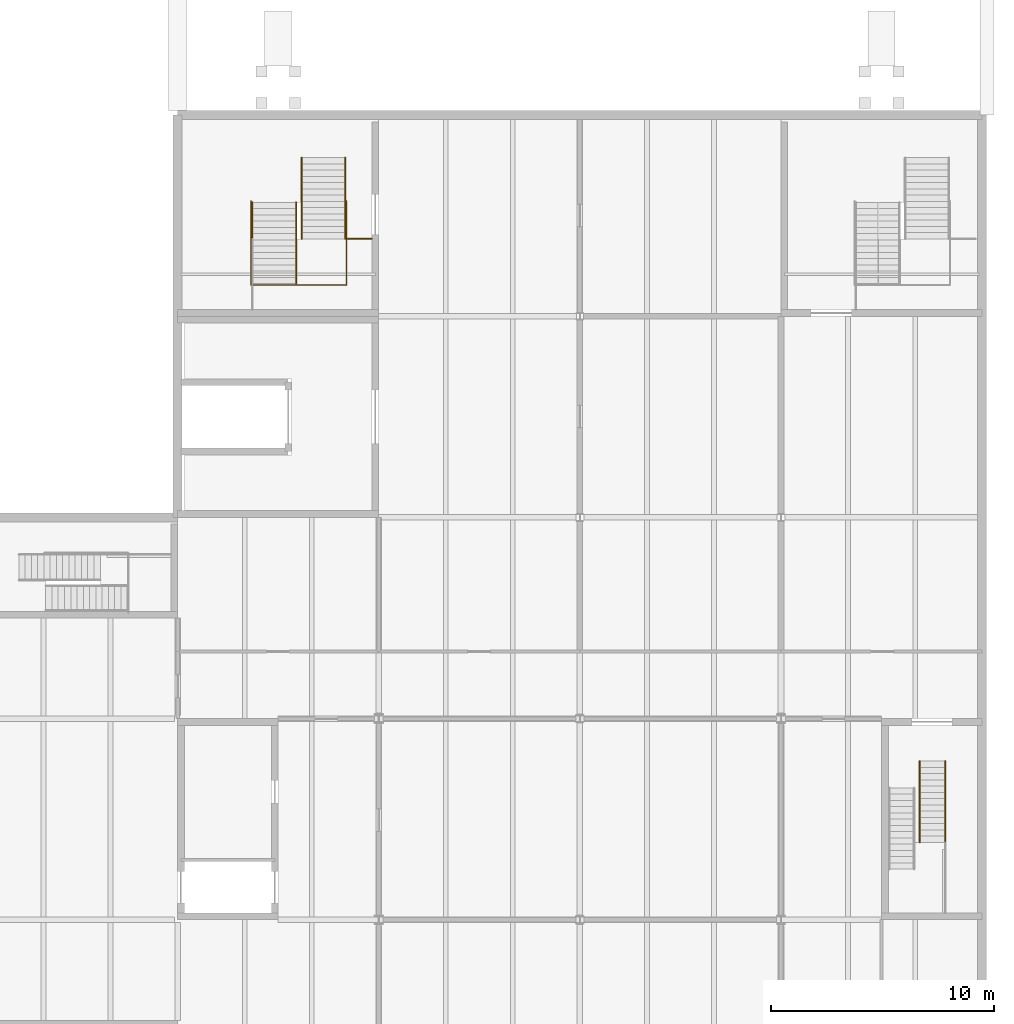
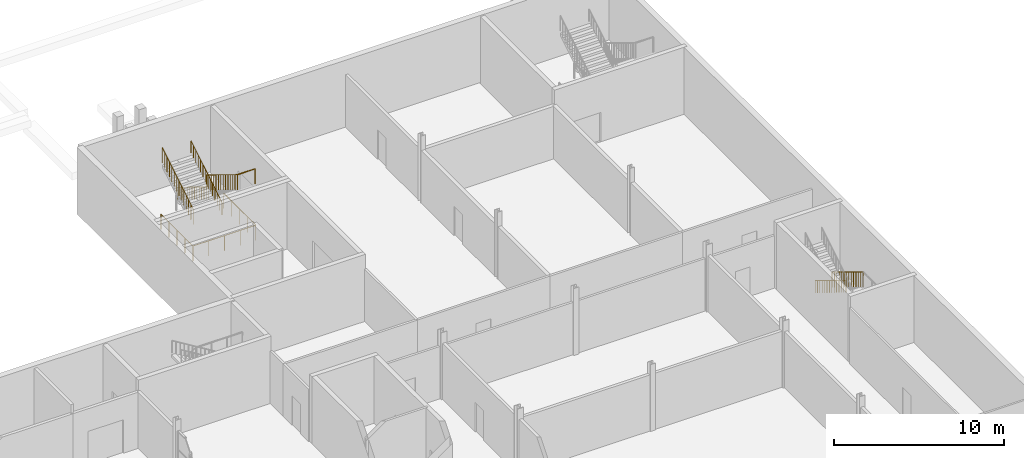
# One storey, part 30 of 31: 8 railings.
"""IFC4 building model written with IfcOpenShell, lengths in metres."""

from ifc_helpers import new_model, si_unit, direction, frame, origin, origin_2d, place, context, subcontext, project, spatial, circle, extrude, material, type_object, element, save


model = new_model("IFC4")

# Units and contexts
model_context = context("Model", 3, precision=1e-05, world=origin(), true_north=direction((0.0, 1.0)))
body_context = subcontext(model_context, "Body", "Model", "MODEL_VIEW")
ifc_project = project(units=[si_unit("LENGTHUNIT", "METRE"), si_unit("AREAUNIT", "SQUARE_METRE"), si_unit("VOLUMEUNIT", "CUBIC_METRE"), si_unit("PLANEANGLEUNIT", "RADIAN"), si_unit("MASSUNIT", "GRAM", prefix="KILO")], contexts=[model_context])

# Site, building, storey
site_placement = place(None, origin())
site = spatial("IfcSite", under=ifc_project, at=site_placement, CompositionType="ELEMENT")
building_placement = place(site_placement, origin())
building = spatial("IfcBuilding", under=site, at=building_placement, Name="Halyard Row Museum", CompositionType="ELEMENT")
storey_placement = place(building_placement, frame((0.0, 0.0, -4.800048828125)))
storey = spatial("IfcBuildingStorey", under=building, at=storey_placement, Name="B1", CompositionType="ELEMENT", Elevation=-4.800048828125)

# Railings
ifc_material_1 = material(Name="Steel Grade 300", Category="steel")
railing_type_1 = type_object("IfcRailingType", Name="Guard GR2 steel balustrade 1100", PredefinedType="GUARDRAIL", material=ifc_material_1)
railing_1_placement = place(storey_placement, frame((106.35009765625, 34.10009765625, 0.17138671875)))
element("IfcRailing", 1, at=railing_1_placement, inside=storey, type_object=railing_type_1, Name="Guard GR063", PredefinedType="GUARDRAIL", context=body_context, shape_type="SweptSolid", body=[
    extrude(circle(Radius=0.02392578125, at=origin_2d()), frame((0.0, 0.0, 1.076171875), z_axis=(0.0, -0.852601252411, 0.522562057929), x_axis=(1.0, 0.0, 0.0)), (0.0, 0.0, 1.0), 0.328369140625),
    extrude(circle(Radius=0.02392578125, at=origin_2d()), frame((0.0, -0.280029296875, 1.24755859375), z_axis=(0.0, -0.852932391421, 0.522021393877), x_axis=(1.0, 0.0, 0.0)), (0.0, 0.0, 1.0), 0.328369140625),
    extrude(circle(Radius=0.02392578125, at=origin_2d()), frame((0.0, -0.56005859375, 1.4189453125), z_axis=(0.0, -0.852932391421, 0.522021393877), x_axis=(1.0, 0.0, 0.0)), (0.0, 0.0, 1.0), 0.328369140625),
    extrude(circle(Radius=0.02392578125, at=origin_2d()), frame((0.0, -0.840087890625, 1.59033203125), z_axis=(0.0, -0.852932391421, 0.522021393877), x_axis=(1.0, 0.0, 0.0)), (0.0, 0.0, 1.0), 0.328369140625),
    extrude(circle(Radius=0.02392578125, at=origin_2d()), frame((0.0, -1.1201171875, 1.76171875), z_axis=(0.0, -0.852932391421, 0.522021393877), x_axis=(1.0, 0.0, 0.0)), (0.0, 0.0, 1.0), 0.328369140625),
    extrude(circle(Radius=0.02392578125, at=origin_2d()), frame((0.0, -1.400146484375, 1.93310546875), z_axis=(0.0, -0.852932391421, 0.522021393877), x_axis=(1.0, 0.0, 0.0)), (0.0, 0.0, 1.0), 0.328369140625),
    extrude(circle(Radius=0.02392578125, at=origin_2d()), frame((0.0, -1.68017578125, 2.1044921875), z_axis=(0.0, -0.852601252411, 0.522562057929), x_axis=(1.0, 0.0, 0.0)), (0.0, 0.0, 1.0), 0.328369140625),
    extrude(circle(Radius=0.02392578125, at=origin_2d()), frame((0.0, -1.960205078125, 2.2763671875), z_axis=(0.0, -0.852729557261, 0.522352660731), x_axis=(1.0, 0.0, 0.0)), (0.0, 0.0, 1.0), 0.328125),
    extrude(circle(Radius=0.02392578125, at=origin_2d()), frame((0.0, -2.239990234375, 2.44775390625), z_axis=(0.0, -0.852932391421, 0.522021393877), x_axis=(1.0, 0.0, 0.0)), (0.0, 0.0, 1.0), 0.328369140625),
    extrude(circle(Radius=0.02392578125, at=origin_2d()), frame((0.0, -2.52001953125, 2.619140625), z_axis=(0.0, -0.852932391421, 0.522021393877), x_axis=(1.0, 0.0, 0.0)), (0.0, 0.0, 1.0), 0.328369140625),
    extrude(circle(Radius=0.02392578125, at=origin_2d()), frame((0.0, -2.800048828125, 2.79052734375), z_axis=(0.0, -0.852932391421, 0.522021393877), x_axis=(1.0, 0.0, 0.0)), (0.0, 0.0, 1.0), 0.328369140625),
    extrude(circle(Radius=0.02392578125, at=origin_2d()), frame((0.0, -3.080078125, 2.9619140625), z_axis=(0.0, -0.852932391421, 0.522021393877), x_axis=(1.0, 0.0, 0.0)), (0.0, 0.0, 1.0), 0.328369140625),
    extrude(circle(Radius=0.02392578125, at=origin_2d()), frame((0.0, -3.360107421875, 3.13330078125), z_axis=(0.0, -0.852601252411, 0.522562057929), x_axis=(1.0, 0.0, 0.0)), (0.0, 0.0, 1.0), 0.328369140625),
    extrude(circle(Radius=0.02099609375, at=origin_2d()), origin(), (0.0, 0.0, 1.0), 1.052001953125),
    extrude(circle(Radius=0.02099609375, at=origin_2d()), frame((0.0, -0.280029296875, 0.171630859375)), (0.0, 0.0, 1.0), 1.052001953125),
    extrude(circle(Radius=0.02099609375, at=origin_2d()), frame((0.0, -0.56005859375, 0.343017578125)), (0.0, 0.0, 1.0), 1.052001953125),
    extrude(circle(Radius=0.02099609375, at=origin_2d()), frame((0.0, -0.840087890625, 0.514404296875)), (0.0, 0.0, 1.0), 1.052001953125),
    extrude(circle(Radius=0.02099609375, at=origin_2d()), frame((0.0, -1.1201171875, 0.685791015625)), (0.0, 0.0, 1.0), 1.052001953125),
    extrude(circle(Radius=0.02099609375, at=origin_2d()), frame((0.0, -1.400146484375, 0.857177734375)), (0.0, 0.0, 1.0), 1.052001953125),
    extrude(circle(Radius=0.02099609375, at=origin_2d()), frame((0.0, -1.68017578125, 1.028564453125)), (0.0, 0.0, 1.0), 1.052001953125),
    extrude(circle(Radius=0.02099609375, at=origin_2d()), frame((0.0, -1.960205078125, 1.2001953125)), (0.0, 0.0, 1.0), 1.052001953125),
    extrude(circle(Radius=0.02099609375, at=origin_2d()), frame((0.0, -2.239990234375, 1.37158203125)), (0.0, 0.0, 1.0), 1.052001953125),
    extrude(circle(Radius=0.02099609375, at=origin_2d()), frame((0.0, -2.52001953125, 1.54296875)), (0.0, 0.0, 1.0), 1.052001953125),
    extrude(circle(Radius=0.02099609375, at=origin_2d()), frame((0.0, -2.800048828125, 1.71435546875)), (0.0, 0.0, 1.0), 1.052001953125),
    extrude(circle(Radius=0.02099609375, at=origin_2d()), frame((0.0, -3.080078125, 1.8857421875)), (0.0, 0.0, 1.0), 1.052001953125),
    extrude(circle(Radius=0.02099609375, at=origin_2d()), frame((0.0, -3.360107421875, 2.05712890625)), (0.0, 0.0, 1.0), 1.052001953125),
    extrude(circle(Radius=0.02099609375, at=origin_2d()), frame((0.0, -3.64013671875, 2.228759765625)), (0.0, 0.0, 1.0), 1.052001953125),
])
railing_2_placement = place(storey_placement, frame((79.5, 61.10009765625, 0.17138671875)))
element("IfcRailing", 2, at=railing_2_placement, inside=storey, type_object=railing_type_1, Name="Guard GR096", PredefinedType="GUARDRAIL", context=body_context, shape_type="SweptSolid", body=[
    extrude(circle(Radius=0.02392578125, at=origin_2d()), frame((0.0, 0.0, 1.076171875), z_axis=(0.0, -0.852601252411, 0.522562057929), x_axis=(1.0, 0.0, 0.0)), (0.0, 0.0, 1.0), 0.328369140625),
    extrude(circle(Radius=0.02392578125, at=origin_2d()), frame((0.0, -0.280029296875, 1.24755859375), z_axis=(0.0, -0.852932391421, 0.522021393877), x_axis=(1.0, 0.0, 0.0)), (0.0, 0.0, 1.0), 0.328369140625),
    extrude(circle(Radius=0.02392578125, at=origin_2d()), frame((0.0, -0.56005859375, 1.4189453125), z_axis=(0.0, -0.852932391421, 0.522021393877), x_axis=(1.0, 0.0, 0.0)), (0.0, 0.0, 1.0), 0.328369140625),
    extrude(circle(Radius=0.02392578125, at=origin_2d()), frame((0.0, -0.840087890625, 1.59033203125), z_axis=(0.0, -0.852932391421, 0.522021393877), x_axis=(1.0, 0.0, 0.0)), (0.0, 0.0, 1.0), 0.328369140625),
    extrude(circle(Radius=0.02392578125, at=origin_2d()), frame((0.0, -1.1201171875, 1.76171875), z_axis=(0.0, -0.852932391421, 0.522021393877), x_axis=(1.0, 0.0, 0.0)), (0.0, 0.0, 1.0), 0.328369140625),
    extrude(circle(Radius=0.02392578125, at=origin_2d()), frame((0.0, -1.400146484375, 1.93310546875), z_axis=(0.0, -0.852932391421, 0.522021393877), x_axis=(1.0, 0.0, 0.0)), (0.0, 0.0, 1.0), 0.328369140625),
    extrude(circle(Radius=0.02392578125, at=origin_2d()), frame((0.0, -1.68017578125, 2.1044921875), z_axis=(0.0, -0.852601252411, 0.522562057929), x_axis=(1.0, 0.0, 0.0)), (0.0, 0.0, 1.0), 0.328369140625),
    extrude(circle(Radius=0.02392578125, at=origin_2d()), frame((0.0, -1.960205078125, 2.2763671875), z_axis=(0.0, -0.852729557261, 0.522352660731), x_axis=(1.0, 0.0, 0.0)), (0.0, 0.0, 1.0), 0.328125),
    extrude(circle(Radius=0.02392578125, at=origin_2d()), frame((0.0, -2.239990234375, 2.44775390625), z_axis=(0.0, -0.852932391421, 0.522021393877), x_axis=(1.0, 0.0, 0.0)), (0.0, 0.0, 1.0), 0.328369140625),
    extrude(circle(Radius=0.02392578125, at=origin_2d()), frame((0.0, -2.52001953125, 2.619140625), z_axis=(0.0, -0.852932391421, 0.522021393877), x_axis=(1.0, 0.0, 0.0)), (0.0, 0.0, 1.0), 0.328369140625),
    extrude(circle(Radius=0.02392578125, at=origin_2d()), frame((0.0, -2.800048828125, 2.79052734375), z_axis=(0.0, -0.852932391421, 0.522021393877), x_axis=(1.0, 0.0, 0.0)), (0.0, 0.0, 1.0), 0.328369140625),
    extrude(circle(Radius=0.02392578125, at=origin_2d()), frame((0.0, -3.080078125, 2.9619140625), z_axis=(0.0, -0.852932391421, 0.522021393877), x_axis=(1.0, 0.0, 0.0)), (0.0, 0.0, 1.0), 0.328369140625),
    extrude(circle(Radius=0.02392578125, at=origin_2d()), frame((0.0, -3.360107421875, 3.13330078125), z_axis=(0.0, -0.852601252411, 0.522562057929), x_axis=(1.0, 0.0, 0.0)), (0.0, 0.0, 1.0), 0.328369140625),
    extrude(circle(Radius=0.02099609375, at=origin_2d()), origin(), (0.0, 0.0, 1.0), 1.052001953125),
    extrude(circle(Radius=0.02099609375, at=origin_2d()), frame((0.0, -0.280029296875, 0.171630859375)), (0.0, 0.0, 1.0), 1.052001953125),
    extrude(circle(Radius=0.02099609375, at=origin_2d()), frame((0.0, -0.56005859375, 0.343017578125)), (0.0, 0.0, 1.0), 1.052001953125),
    extrude(circle(Radius=0.02099609375, at=origin_2d()), frame((0.0, -0.840087890625, 0.514404296875)), (0.0, 0.0, 1.0), 1.052001953125),
    extrude(circle(Radius=0.02099609375, at=origin_2d()), frame((0.0, -1.1201171875, 0.685791015625)), (0.0, 0.0, 1.0), 1.052001953125),
    extrude(circle(Radius=0.02099609375, at=origin_2d()), frame((0.0, -1.400146484375, 0.857177734375)), (0.0, 0.0, 1.0), 1.052001953125),
    extrude(circle(Radius=0.02099609375, at=origin_2d()), frame((0.0, -1.68017578125, 1.028564453125)), (0.0, 0.0, 1.0), 1.052001953125),
    extrude(circle(Radius=0.02099609375, at=origin_2d()), frame((0.0, -1.960205078125, 1.2001953125)), (0.0, 0.0, 1.0), 1.052001953125),
    extrude(circle(Radius=0.02099609375, at=origin_2d()), frame((0.0, -2.239990234375, 1.37158203125)), (0.0, 0.0, 1.0), 1.052001953125),
    extrude(circle(Radius=0.02099609375, at=origin_2d()), frame((0.0, -2.52001953125, 1.54296875)), (0.0, 0.0, 1.0), 1.052001953125),
    extrude(circle(Radius=0.02099609375, at=origin_2d()), frame((0.0, -2.800048828125, 1.71435546875)), (0.0, 0.0, 1.0), 1.052001953125),
    extrude(circle(Radius=0.02099609375, at=origin_2d()), frame((0.0, -3.080078125, 1.8857421875)), (0.0, 0.0, 1.0), 1.052001953125),
    extrude(circle(Radius=0.02099609375, at=origin_2d()), frame((0.0, -3.360107421875, 2.05712890625)), (0.0, 0.0, 1.0), 1.052001953125),
    extrude(circle(Radius=0.02099609375, at=origin_2d()), frame((0.0, -3.64013671875, 2.228759765625)), (0.0, 0.0, 1.0), 1.052001953125),
])
railing_3_placement = place(storey_placement, frame((75.35009765625, 55.4599609375, 2.571533203125)))
element("IfcRailing", 3, at=railing_3_placement, inside=storey, type_object=railing_type_1, Name="Guard GR097", PredefinedType="GUARDRAIL", context=body_context, shape_type="SweptSolid", body=[
    extrude(circle(Radius=0.02392578125, at=origin_2d()), frame((0.0, 0.0, 1.076171875), z_axis=(0.0, 0.852932391421, 0.522021393877), x_axis=(-1.0, 0.0, 0.0)), (0.0, 0.0, 1.0), 0.328369140625),
    extrude(circle(Radius=0.02392578125, at=origin_2d()), frame((0.0, 0.280029296875, 1.24755859375), z_axis=(0.0, 0.852932391421, 0.522021393877), x_axis=(-1.0, 0.0, 0.0)), (0.0, 0.0, 1.0), 0.328369140625),
    extrude(circle(Radius=0.02392578125, at=origin_2d()), frame((0.0, 0.56005859375, 1.4189453125), z_axis=(0.0, 0.852932391421, 0.522021393877), x_axis=(-1.0, 0.0, 0.0)), (0.0, 0.0, 1.0), 0.328369140625),
    extrude(circle(Radius=0.02392578125, at=origin_2d()), frame((0.0, 0.840087890625, 1.59033203125), z_axis=(0.0, 0.852932391421, 0.522021393877), x_axis=(-1.0, 0.0, 0.0)), (0.0, 0.0, 1.0), 0.328369140625),
    extrude(circle(Radius=0.02392578125, at=origin_2d()), frame((0.0, 1.1201171875, 1.76171875), z_axis=(0.0, 0.852601252411, 0.522562057929), x_axis=(-1.0, 0.0, 0.0)), (0.0, 0.0, 1.0), 0.328369140625),
    extrude(circle(Radius=0.02392578125, at=origin_2d()), frame((0.0, 1.400146484375, 1.93310546875), z_axis=(0.0, 0.852729557261, 0.522352660731), x_axis=(-1.0, 0.0, 0.0)), (0.0, 0.0, 1.0), 0.328125),
    extrude(circle(Radius=0.02392578125, at=origin_2d()), frame((0.0, 1.679931640625, 2.1044921875), z_axis=(0.0, 0.852932391421, 0.522021393877), x_axis=(-1.0, 0.0, 0.0)), (0.0, 0.0, 1.0), 0.328369140625),
    extrude(circle(Radius=0.02392578125, at=origin_2d()), frame((0.0, 1.9599609375, 2.27587890625), z_axis=(0.0, 0.852932391421, 0.522021393877), x_axis=(-1.0, 0.0, 0.0)), (0.0, 0.0, 1.0), 0.328369140625),
    extrude(circle(Radius=0.02392578125, at=origin_2d()), frame((0.0, 2.239990234375, 2.447265625), z_axis=(0.0, 0.852932391421, 0.522021393877), x_axis=(-1.0, 0.0, 0.0)), (0.0, 0.0, 1.0), 0.328369140625),
    extrude(circle(Radius=0.02392578125, at=origin_2d()), frame((0.0, 2.52001953125, 2.61865234375), z_axis=(0.0, 0.852932391421, 0.522021393877), x_axis=(-1.0, 0.0, 0.0)), (0.0, 0.0, 1.0), 0.328369140625),
    extrude(circle(Radius=0.02392578125, at=origin_2d()), frame((0.0, 2.800048828125, 2.7900390625), z_axis=(0.0, 0.852601252411, 0.522562057929), x_axis=(-1.0, 0.0, 0.0)), (0.0, 0.0, 1.0), 0.328369140625),
    extrude(circle(Radius=0.02392578125, at=origin_2d()), frame((0.0, 3.080078125, 2.9619140625), z_axis=(0.0, 0.852932391421, 0.522021393877), x_axis=(-1.0, 0.0, 0.0)), (0.0, 0.0, 1.0), 0.328369140625),
    extrude(circle(Radius=0.02392578125, at=origin_2d()), frame((0.0, 3.360107421875, 3.13330078125), z_axis=(0.0, 0.852932391421, 0.522021393877), x_axis=(-1.0, 0.0, 0.0)), (0.0, 0.0, 1.0), 0.328369140625),
    extrude(circle(Radius=0.02099609375, at=origin_2d()), origin(), (0.0, 0.0, 1.0), 1.052001953125),
    extrude(circle(Radius=0.02099609375, at=origin_2d()), frame((0.0, 0.280029296875, 0.17138671875)), (0.0, 0.0, 1.0), 1.052001953125),
    extrude(circle(Radius=0.02099609375, at=origin_2d()), frame((0.0, 0.56005859375, 0.3427734375)), (0.0, 0.0, 1.0), 1.052001953125),
    extrude(circle(Radius=0.02099609375, at=origin_2d()), frame((0.0, 0.840087890625, 0.51416015625)), (0.0, 0.0, 1.0), 1.052001953125),
    extrude(circle(Radius=0.02099609375, at=origin_2d()), frame((0.0, 1.1201171875, 0.685546875)), (0.0, 0.0, 1.0), 1.052001953125),
    extrude(circle(Radius=0.02099609375, at=origin_2d()), frame((0.0, 1.400146484375, 0.857177734375)), (0.0, 0.0, 1.0), 1.052001953125),
    extrude(circle(Radius=0.02099609375, at=origin_2d()), frame((0.0, 1.679931640625, 1.028564453125)), (0.0, 0.0, 1.0), 1.052001953125),
    extrude(circle(Radius=0.02099609375, at=origin_2d()), frame((0.0, 1.9599609375, 1.199951171875)), (0.0, 0.0, 1.0), 1.052001953125),
    extrude(circle(Radius=0.02099609375, at=origin_2d()), frame((0.0, 2.239990234375, 1.371337890625)), (0.0, 0.0, 1.0), 1.052001953125),
    extrude(circle(Radius=0.02099609375, at=origin_2d()), frame((0.0, 2.52001953125, 1.542724609375)), (0.0, 0.0, 1.0), 1.052001953125),
    extrude(circle(Radius=0.02099609375, at=origin_2d()), frame((0.0, 2.800048828125, 1.714111328125)), (0.0, 0.0, 1.0), 1.052001953125),
    extrude(circle(Radius=0.02099609375, at=origin_2d()), frame((0.0, 3.080078125, 1.8857421875)), (0.0, 0.0, 1.0), 1.052001953125),
    extrude(circle(Radius=0.02099609375, at=origin_2d()), frame((0.0, 3.360107421875, 2.05712890625)), (0.0, 0.0, 1.0), 1.052001953125),
    extrude(circle(Radius=0.02099609375, at=origin_2d()), frame((0.0, 3.64013671875, 2.228515625)), (0.0, 0.0, 1.0), 1.052001953125),
])
railing_4_placement = place(storey_placement, frame((80.699951171875, 57.4599609375, 2.400146484375)))
element("IfcRailing", 4, at=railing_4_placement, inside=storey, type_object=railing_type_1, Name="Guard GR098", PredefinedType="GUARDRAIL", context=body_context, shape_type="SweptSolid", body=[
    extrude(circle(Radius=0.02392578125, at=origin_2d()), frame((0.0, 0.0, 1.076171875), z_axis=(-1.0, 0.0, 0.0), x_axis=(0.0, -1.0, 0.0)), (0.0, 0.0, 1.0), 1.199951171875),
    extrude(circle(Radius=0.02099609375, at=origin_2d()), origin(), (0.0, 0.0, 1.0), 1.052001953125),
    extrude(circle(Radius=0.02099609375, at=origin_2d()), frame((-1.199951171875, 0.0, 0.0)), (0.0, 0.0, 1.0), 1.052001953125),
])
railing_5_placement = place(storey_placement, frame((79.56005859375, 59.159912109375, 0.0)))
element("IfcRailing", 5, at=railing_5_placement, inside=storey, type_object=railing_type_1, Name="Guard GR180", PredefinedType="GUARDRAIL", context=body_context, shape_type="SweptSolid", body=[
    extrude(circle(Radius=0.02392578125, at=origin_2d()), frame((0.0, 0.0, 1.076171875), z_axis=(0.0, -1.0, 0.0), x_axis=(1.0, 0.0, 0.0)), (0.0, 0.0, 1.0), 3.760009765625),
    extrude(circle(Radius=0.02392578125, at=origin_2d()), frame((0.0, -3.760009765625, 1.076171875), z_axis=(-1.0, 0.0, 0.0), x_axis=(0.0, -1.0, 0.0)), (0.0, 0.0, 1.0), 4.27001953125),
    extrude(circle(Radius=0.02392578125, at=origin_2d()), frame((-4.27001953125, -3.760009765625, 1.076171875), z_axis=(0.0, 1.0, 0.0), x_axis=(-1.0, 0.0, 0.0)), (0.0, 0.0, 1.0), 3.760009765625),
    extrude(circle(Radius=0.02099609375, at=origin_2d()), origin(), (0.0, 0.0, 1.0), 1.052001953125),
    extrude(circle(Radius=0.02099609375, at=origin_2d()), frame((0.0, -0.93994140625, 0.0)), (0.0, 0.0, 1.0), 1.052001953125),
    extrude(circle(Radius=0.02099609375, at=origin_2d()), frame((0.0, -1.8798828125, 0.0)), (0.0, 0.0, 1.0), 1.052001953125),
    extrude(circle(Radius=0.02099609375, at=origin_2d()), frame((0.0, -2.820068359375, 0.0)), (0.0, 0.0, 1.0), 1.052001953125),
    extrude(circle(Radius=0.02099609375, at=origin_2d()), frame((0.0, -3.760009765625, 0.0)), (0.0, 0.0, 1.0), 1.052001953125),
    extrude(circle(Radius=0.02099609375, at=origin_2d()), frame((-1.0673828125, -3.760009765625, 0.0)), (0.0, 0.0, 1.0), 1.052001953125),
    extrude(circle(Radius=0.02099609375, at=origin_2d()), frame((-2.135009765625, -3.760009765625, 0.0)), (0.0, 0.0, 1.0), 1.052001953125),
    extrude(circle(Radius=0.02099609375, at=origin_2d()), frame((-3.20263671875, -3.760009765625, 0.0)), (0.0, 0.0, 1.0), 1.052001953125),
    extrude(circle(Radius=0.02099609375, at=origin_2d()), frame((-4.27001953125, -3.760009765625, 0.0)), (0.0, 0.0, 1.0), 1.052001953125),
    extrude(circle(Radius=0.02099609375, at=origin_2d()), frame((-4.27001953125, -2.820068359375, 0.0)), (0.0, 0.0, 1.0), 1.052001953125),
    extrude(circle(Radius=0.02099609375, at=origin_2d()), frame((-4.27001953125, -1.8798828125, 0.0)), (0.0, 0.0, 1.0), 1.052001953125),
    extrude(circle(Radius=0.02099609375, at=origin_2d()), frame((-4.27001953125, -0.93994140625, 0.0)), (0.0, 0.0, 1.0), 1.052001953125),
    extrude(circle(Radius=0.02099609375, at=origin_2d()), frame((-4.27001953125, 0.0, 0.0)), (0.0, 0.0, 1.0), 1.052001953125),
])
ifc_material_2 = material(Name="Steel Grade 300", Category="steel")
railing_type_2 = type_object("IfcRailingType", Name="Handrail HR2 steel 900", PredefinedType="HANDRAIL", material=ifc_material_2)
railing_6_placement = place(storey_placement, frame((105.199951171875, 34.10009765625, 0.17138671875)))
element("IfcRailing", 6, at=railing_6_placement, inside=storey, type_object=railing_type_2, Name="Handrail HR091", PredefinedType="HANDRAIL", context=body_context, shape_type="SweptSolid", body=[
    extrude(circle(Radius=0.02392578125, at=origin_2d()), frame((0.0, 0.0, 0.8759765625), z_axis=(0.0, -0.852601252411, 0.522562057929), x_axis=(1.0, 0.0, 0.0)), (0.0, 0.0, 1.0), 0.328369140625),
    extrude(circle(Radius=0.02392578125, at=origin_2d()), frame((0.0, -0.280029296875, 1.04736328125), z_axis=(0.0, -0.852932391421, 0.522021393877), x_axis=(1.0, 0.0, 0.0)), (0.0, 0.0, 1.0), 0.328369140625),
    extrude(circle(Radius=0.02392578125, at=origin_2d()), frame((0.0, -0.56005859375, 1.21875), z_axis=(0.0, -0.852932391421, 0.522021393877), x_axis=(1.0, 0.0, 0.0)), (0.0, 0.0, 1.0), 0.328369140625),
    extrude(circle(Radius=0.02392578125, at=origin_2d()), frame((0.0, -0.840087890625, 1.39013671875), z_axis=(0.0, -0.852932391421, 0.522021393877), x_axis=(1.0, 0.0, 0.0)), (0.0, 0.0, 1.0), 0.328369140625),
    extrude(circle(Radius=0.02392578125, at=origin_2d()), frame((0.0, -1.1201171875, 1.5615234375), z_axis=(0.0, -0.852932391421, 0.522021393877), x_axis=(1.0, 0.0, 0.0)), (0.0, 0.0, 1.0), 0.328369140625),
    extrude(circle(Radius=0.02392578125, at=origin_2d()), frame((0.0, -1.400146484375, 1.73291015625), z_axis=(0.0, -0.852932391421, 0.522021393877), x_axis=(1.0, 0.0, 0.0)), (0.0, 0.0, 1.0), 0.328369140625),
    extrude(circle(Radius=0.02392578125, at=origin_2d()), frame((0.0, -1.68017578125, 1.904296875), z_axis=(0.0, -0.852601252411, 0.522562057929), x_axis=(1.0, 0.0, 0.0)), (0.0, 0.0, 1.0), 0.328369140625),
    extrude(circle(Radius=0.02392578125, at=origin_2d()), frame((0.0, -1.960205078125, 2.076171875), z_axis=(0.0, -0.852729557261, 0.522352660731), x_axis=(1.0, 0.0, 0.0)), (0.0, 0.0, 1.0), 0.328125),
    extrude(circle(Radius=0.02392578125, at=origin_2d()), frame((0.0, -2.239990234375, 2.24755859375), z_axis=(0.0, -0.852932391421, 0.522021393877), x_axis=(1.0, 0.0, 0.0)), (0.0, 0.0, 1.0), 0.328369140625),
    extrude(circle(Radius=0.02392578125, at=origin_2d()), frame((0.0, -2.52001953125, 2.4189453125), z_axis=(0.0, -0.852932391421, 0.522021393877), x_axis=(1.0, 0.0, 0.0)), (0.0, 0.0, 1.0), 0.328369140625),
    extrude(circle(Radius=0.02392578125, at=origin_2d()), frame((0.0, -2.800048828125, 2.59033203125), z_axis=(0.0, -0.852932391421, 0.522021393877), x_axis=(1.0, 0.0, 0.0)), (0.0, 0.0, 1.0), 0.328369140625),
    extrude(circle(Radius=0.02392578125, at=origin_2d()), frame((0.0, -3.080078125, 2.76171875), z_axis=(0.0, -0.852932391421, 0.522021393877), x_axis=(1.0, 0.0, 0.0)), (0.0, 0.0, 1.0), 0.328369140625),
    extrude(circle(Radius=0.02392578125, at=origin_2d()), frame((0.0, -3.360107421875, 2.93310546875), z_axis=(0.0, -0.852601252411, 0.522562057929), x_axis=(1.0, 0.0, 0.0)), (0.0, 0.0, 1.0), 0.328369140625),
    extrude(circle(Radius=0.02099609375, at=origin_2d()), origin(), (0.0, 0.0, 1.0), 0.851806640625),
    extrude(circle(Radius=0.02099609375, at=origin_2d()), frame((0.0, -0.280029296875, 0.171630859375)), (0.0, 0.0, 1.0), 0.851806640625),
    extrude(circle(Radius=0.02099609375, at=origin_2d()), frame((0.0, -0.56005859375, 0.343017578125)), (0.0, 0.0, 1.0), 0.851806640625),
    extrude(circle(Radius=0.02099609375, at=origin_2d()), frame((0.0, -0.840087890625, 0.514404296875)), (0.0, 0.0, 1.0), 0.851806640625),
    extrude(circle(Radius=0.02099609375, at=origin_2d()), frame((0.0, -1.1201171875, 0.685791015625)), (0.0, 0.0, 1.0), 0.851806640625),
    extrude(circle(Radius=0.02099609375, at=origin_2d()), frame((0.0, -1.400146484375, 0.857177734375)), (0.0, 0.0, 1.0), 0.851806640625),
    extrude(circle(Radius=0.02099609375, at=origin_2d()), frame((0.0, -1.68017578125, 1.028564453125)), (0.0, 0.0, 1.0), 0.851806640625),
    extrude(circle(Radius=0.02099609375, at=origin_2d()), frame((0.0, -1.960205078125, 1.2001953125)), (0.0, 0.0, 1.0), 0.851806640625),
    extrude(circle(Radius=0.02099609375, at=origin_2d()), frame((0.0, -2.239990234375, 1.37158203125)), (0.0, 0.0, 1.0), 0.851806640625),
    extrude(circle(Radius=0.02099609375, at=origin_2d()), frame((0.0, -2.52001953125, 1.54296875)), (0.0, 0.0, 1.0), 0.851806640625),
    extrude(circle(Radius=0.02099609375, at=origin_2d()), frame((0.0, -2.800048828125, 1.71435546875)), (0.0, 0.0, 1.0), 0.851806640625),
    extrude(circle(Radius=0.02099609375, at=origin_2d()), frame((0.0, -3.080078125, 1.8857421875)), (0.0, 0.0, 1.0), 0.851806640625),
    extrude(circle(Radius=0.02099609375, at=origin_2d()), frame((0.0, -3.360107421875, 2.05712890625)), (0.0, 0.0, 1.0), 0.851806640625),
    extrude(circle(Radius=0.02099609375, at=origin_2d()), frame((0.0, -3.64013671875, 2.228759765625)), (0.0, 0.0, 1.0), 0.851806640625),
])
railing_7_placement = place(storey_placement, frame((77.550048828125, 61.10009765625, 0.17138671875)))
element("IfcRailing", 7, at=railing_7_placement, inside=storey, type_object=railing_type_2, Name="Handrail HR135", PredefinedType="HANDRAIL", context=body_context, shape_type="SweptSolid", body=[
    extrude(circle(Radius=0.02392578125, at=origin_2d()), frame((0.0, 0.0, 0.8759765625), z_axis=(0.0, -0.852601252411, 0.522562057929), x_axis=(1.0, 0.0, 0.0)), (0.0, 0.0, 1.0), 0.328369140625),
    extrude(circle(Radius=0.02392578125, at=origin_2d()), frame((0.0, -0.280029296875, 1.04736328125), z_axis=(0.0, -0.852932391421, 0.522021393877), x_axis=(1.0, 0.0, 0.0)), (0.0, 0.0, 1.0), 0.328369140625),
    extrude(circle(Radius=0.02392578125, at=origin_2d()), frame((0.0, -0.56005859375, 1.21875), z_axis=(0.0, -0.852932391421, 0.522021393877), x_axis=(1.0, 0.0, 0.0)), (0.0, 0.0, 1.0), 0.328369140625),
    extrude(circle(Radius=0.02392578125, at=origin_2d()), frame((0.0, -0.840087890625, 1.39013671875), z_axis=(0.0, -0.852932391421, 0.522021393877), x_axis=(1.0, 0.0, 0.0)), (0.0, 0.0, 1.0), 0.328369140625),
    extrude(circle(Radius=0.02392578125, at=origin_2d()), frame((0.0, -1.1201171875, 1.5615234375), z_axis=(0.0, -0.852932391421, 0.522021393877), x_axis=(1.0, 0.0, 0.0)), (0.0, 0.0, 1.0), 0.328369140625),
    extrude(circle(Radius=0.02392578125, at=origin_2d()), frame((0.0, -1.400146484375, 1.73291015625), z_axis=(0.0, -0.852932391421, 0.522021393877), x_axis=(1.0, 0.0, 0.0)), (0.0, 0.0, 1.0), 0.328369140625),
    extrude(circle(Radius=0.02392578125, at=origin_2d()), frame((0.0, -1.68017578125, 1.904296875), z_axis=(0.0, -0.852601252411, 0.522562057929), x_axis=(1.0, 0.0, 0.0)), (0.0, 0.0, 1.0), 0.328369140625),
    extrude(circle(Radius=0.02392578125, at=origin_2d()), frame((0.0, -1.960205078125, 2.076171875), z_axis=(0.0, -0.852729557261, 0.522352660731), x_axis=(1.0, 0.0, 0.0)), (0.0, 0.0, 1.0), 0.328125),
    extrude(circle(Radius=0.02392578125, at=origin_2d()), frame((0.0, -2.239990234375, 2.24755859375), z_axis=(0.0, -0.852932391421, 0.522021393877), x_axis=(1.0, 0.0, 0.0)), (0.0, 0.0, 1.0), 0.328369140625),
    extrude(circle(Radius=0.02392578125, at=origin_2d()), frame((0.0, -2.52001953125, 2.4189453125), z_axis=(0.0, -0.852932391421, 0.522021393877), x_axis=(1.0, 0.0, 0.0)), (0.0, 0.0, 1.0), 0.328369140625),
    extrude(circle(Radius=0.02392578125, at=origin_2d()), frame((0.0, -2.800048828125, 2.59033203125), z_axis=(0.0, -0.852932391421, 0.522021393877), x_axis=(1.0, 0.0, 0.0)), (0.0, 0.0, 1.0), 0.328369140625),
    extrude(circle(Radius=0.02392578125, at=origin_2d()), frame((0.0, -3.080078125, 2.76171875), z_axis=(0.0, -0.852932391421, 0.522021393877), x_axis=(1.0, 0.0, 0.0)), (0.0, 0.0, 1.0), 0.328369140625),
    extrude(circle(Radius=0.02392578125, at=origin_2d()), frame((0.0, -3.360107421875, 2.93310546875), z_axis=(0.0, -0.852601252411, 0.522562057929), x_axis=(1.0, 0.0, 0.0)), (0.0, 0.0, 1.0), 0.328369140625),
    extrude(circle(Radius=0.02099609375, at=origin_2d()), origin(), (0.0, 0.0, 1.0), 0.851806640625),
    extrude(circle(Radius=0.02099609375, at=origin_2d()), frame((0.0, -0.280029296875, 0.171630859375)), (0.0, 0.0, 1.0), 0.851806640625),
    extrude(circle(Radius=0.02099609375, at=origin_2d()), frame((0.0, -0.56005859375, 0.343017578125)), (0.0, 0.0, 1.0), 0.851806640625),
    extrude(circle(Radius=0.02099609375, at=origin_2d()), frame((0.0, -0.840087890625, 0.514404296875)), (0.0, 0.0, 1.0), 0.851806640625),
    extrude(circle(Radius=0.02099609375, at=origin_2d()), frame((0.0, -1.1201171875, 0.685791015625)), (0.0, 0.0, 1.0), 0.851806640625),
    extrude(circle(Radius=0.02099609375, at=origin_2d()), frame((0.0, -1.400146484375, 0.857177734375)), (0.0, 0.0, 1.0), 0.851806640625),
    extrude(circle(Radius=0.02099609375, at=origin_2d()), frame((0.0, -1.68017578125, 1.028564453125)), (0.0, 0.0, 1.0), 0.851806640625),
    extrude(circle(Radius=0.02099609375, at=origin_2d()), frame((0.0, -1.960205078125, 1.2001953125)), (0.0, 0.0, 1.0), 0.851806640625),
    extrude(circle(Radius=0.02099609375, at=origin_2d()), frame((0.0, -2.239990234375, 1.37158203125)), (0.0, 0.0, 1.0), 0.851806640625),
    extrude(circle(Radius=0.02099609375, at=origin_2d()), frame((0.0, -2.52001953125, 1.54296875)), (0.0, 0.0, 1.0), 0.851806640625),
    extrude(circle(Radius=0.02099609375, at=origin_2d()), frame((0.0, -2.800048828125, 1.71435546875)), (0.0, 0.0, 1.0), 0.851806640625),
    extrude(circle(Radius=0.02099609375, at=origin_2d()), frame((0.0, -3.080078125, 1.8857421875)), (0.0, 0.0, 1.0), 0.851806640625),
    extrude(circle(Radius=0.02099609375, at=origin_2d()), frame((0.0, -3.360107421875, 2.05712890625)), (0.0, 0.0, 1.0), 0.851806640625),
    extrude(circle(Radius=0.02099609375, at=origin_2d()), frame((0.0, -3.64013671875, 2.228759765625)), (0.0, 0.0, 1.0), 0.851806640625),
])
railing_8_placement = place(storey_placement, frame((77.300048828125, 55.4599609375, 2.571533203125)))
element("IfcRailing", 8, at=railing_8_placement, inside=storey, type_object=railing_type_2, Name="Handrail HR136", PredefinedType="HANDRAIL", context=body_context, shape_type="SweptSolid", body=[
    extrude(circle(Radius=0.02392578125, at=origin_2d()), frame((0.0, 0.0, 0.8759765625), z_axis=(0.0, 0.852932391421, 0.522021393877), x_axis=(-1.0, 0.0, 0.0)), (0.0, 0.0, 1.0), 0.328369140625),
    extrude(circle(Radius=0.02392578125, at=origin_2d()), frame((0.0, 0.280029296875, 1.04736328125), z_axis=(0.0, 0.852932391421, 0.522021393877), x_axis=(-1.0, 0.0, 0.0)), (0.0, 0.0, 1.0), 0.328369140625),
    extrude(circle(Radius=0.02392578125, at=origin_2d()), frame((0.0, 0.56005859375, 1.21875), z_axis=(0.0, 0.852932391421, 0.522021393877), x_axis=(-1.0, 0.0, 0.0)), (0.0, 0.0, 1.0), 0.328369140625),
    extrude(circle(Radius=0.02392578125, at=origin_2d()), frame((0.0, 0.840087890625, 1.39013671875), z_axis=(0.0, 0.852932391421, 0.522021393877), x_axis=(-1.0, 0.0, 0.0)), (0.0, 0.0, 1.0), 0.328369140625),
    extrude(circle(Radius=0.02392578125, at=origin_2d()), frame((0.0, 1.1201171875, 1.5615234375), z_axis=(0.0, 0.852601252411, 0.522562057929), x_axis=(-1.0, 0.0, 0.0)), (0.0, 0.0, 1.0), 0.328369140625),
    extrude(circle(Radius=0.02392578125, at=origin_2d()), frame((0.0, 1.400146484375, 1.73291015625), z_axis=(0.0, 0.852729557261, 0.522352660731), x_axis=(-1.0, 0.0, 0.0)), (0.0, 0.0, 1.0), 0.328125),
    extrude(circle(Radius=0.02392578125, at=origin_2d()), frame((0.0, 1.679931640625, 1.904296875), z_axis=(0.0, 0.852932391421, 0.522021393877), x_axis=(-1.0, 0.0, 0.0)), (0.0, 0.0, 1.0), 0.328369140625),
    extrude(circle(Radius=0.02392578125, at=origin_2d()), frame((0.0, 1.9599609375, 2.07568359375), z_axis=(0.0, 0.852932391421, 0.522021393877), x_axis=(-1.0, 0.0, 0.0)), (0.0, 0.0, 1.0), 0.328369140625),
    extrude(circle(Radius=0.02392578125, at=origin_2d()), frame((0.0, 2.239990234375, 2.2470703125), z_axis=(0.0, 0.852932391421, 0.522021393877), x_axis=(-1.0, 0.0, 0.0)), (0.0, 0.0, 1.0), 0.328369140625),
    extrude(circle(Radius=0.02392578125, at=origin_2d()), frame((0.0, 2.52001953125, 2.41845703125), z_axis=(0.0, 0.852932391421, 0.522021393877), x_axis=(-1.0, 0.0, 0.0)), (0.0, 0.0, 1.0), 0.328369140625),
    extrude(circle(Radius=0.02392578125, at=origin_2d()), frame((0.0, 2.800048828125, 2.58984375), z_axis=(0.0, 0.852601252411, 0.522562057929), x_axis=(-1.0, 0.0, 0.0)), (0.0, 0.0, 1.0), 0.328369140625),
    extrude(circle(Radius=0.02392578125, at=origin_2d()), frame((0.0, 3.080078125, 2.76171875), z_axis=(0.0, 0.852932391421, 0.522021393877), x_axis=(-1.0, 0.0, 0.0)), (0.0, 0.0, 1.0), 0.328369140625),
    extrude(circle(Radius=0.02392578125, at=origin_2d()), frame((0.0, 3.360107421875, 2.93310546875), z_axis=(0.0, 0.852932391421, 0.522021393877), x_axis=(-1.0, 0.0, 0.0)), (0.0, 0.0, 1.0), 0.328369140625),
    extrude(circle(Radius=0.02099609375, at=origin_2d()), origin(), (0.0, 0.0, 1.0), 0.851806640625),
    extrude(circle(Radius=0.02099609375, at=origin_2d()), frame((0.0, 0.280029296875, 0.17138671875)), (0.0, 0.0, 1.0), 0.851806640625),
    extrude(circle(Radius=0.02099609375, at=origin_2d()), frame((0.0, 0.56005859375, 0.3427734375)), (0.0, 0.0, 1.0), 0.851806640625),
    extrude(circle(Radius=0.02099609375, at=origin_2d()), frame((0.0, 0.840087890625, 0.51416015625)), (0.0, 0.0, 1.0), 0.851806640625),
    extrude(circle(Radius=0.02099609375, at=origin_2d()), frame((0.0, 1.1201171875, 0.685546875)), (0.0, 0.0, 1.0), 0.851806640625),
    extrude(circle(Radius=0.02099609375, at=origin_2d()), frame((0.0, 1.400146484375, 0.857177734375)), (0.0, 0.0, 1.0), 0.851806640625),
    extrude(circle(Radius=0.02099609375, at=origin_2d()), frame((0.0, 1.679931640625, 1.028564453125)), (0.0, 0.0, 1.0), 0.851806640625),
    extrude(circle(Radius=0.02099609375, at=origin_2d()), frame((0.0, 1.9599609375, 1.199951171875)), (0.0, 0.0, 1.0), 0.851806640625),
    extrude(circle(Radius=0.02099609375, at=origin_2d()), frame((0.0, 2.239990234375, 1.371337890625)), (0.0, 0.0, 1.0), 0.851806640625),
    extrude(circle(Radius=0.02099609375, at=origin_2d()), frame((0.0, 2.52001953125, 1.542724609375)), (0.0, 0.0, 1.0), 0.851806640625),
    extrude(circle(Radius=0.02099609375, at=origin_2d()), frame((0.0, 2.800048828125, 1.714111328125)), (0.0, 0.0, 1.0), 0.851806640625),
    extrude(circle(Radius=0.02099609375, at=origin_2d()), frame((0.0, 3.080078125, 1.8857421875)), (0.0, 0.0, 1.0), 0.851806640625),
    extrude(circle(Radius=0.02099609375, at=origin_2d()), frame((0.0, 3.360107421875, 2.05712890625)), (0.0, 0.0, 1.0), 0.851806640625),
    extrude(circle(Radius=0.02099609375, at=origin_2d()), frame((0.0, 3.64013671875, 2.228515625)), (0.0, 0.0, 1.0), 0.851806640625),
])

save(model, "model.ifc")
